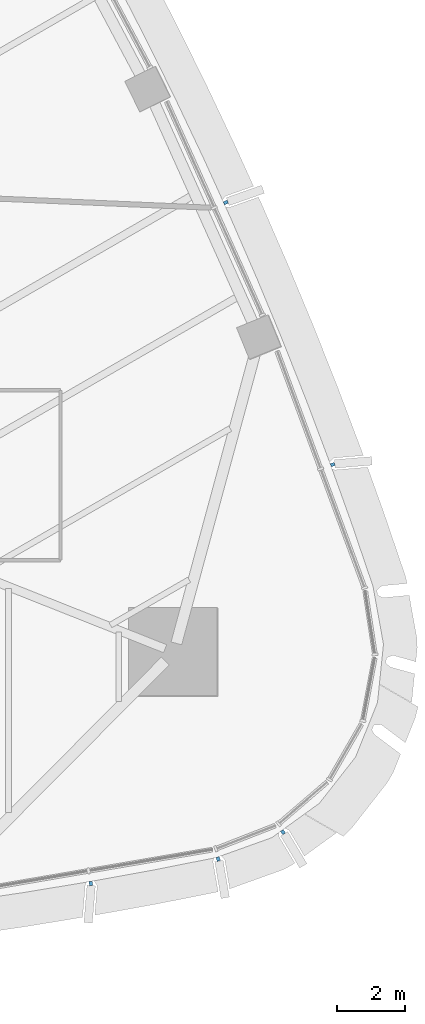
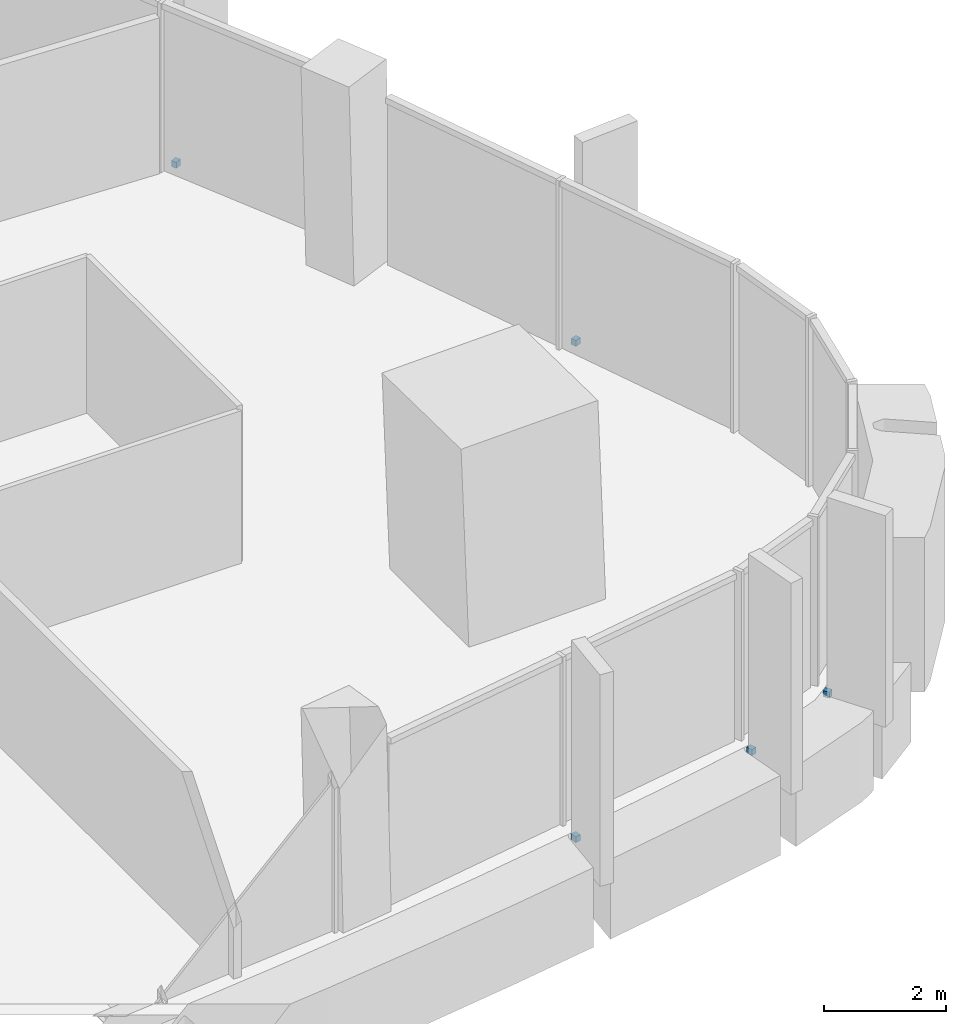
# One storey, part 14 of 19: 5 discrete accessories.
"""IFC4 building model written with IfcOpenShell, lengths in metres."""

from ifc_helpers import new_model, si_unit, direction, frame, origin, origin_2d, place, context, subcontext, project, spatial, rectangle, extrude, material, type_object, element, save


model = new_model("IFC4")

# Units and contexts
model_context = context("Model", 3, precision=1e-05, world=origin(), true_north=direction((0.0, 1.0)))
body_context = subcontext(model_context, "Body", "Model", "MODEL_VIEW")
ifc_project = project(units=[si_unit("LENGTHUNIT", "METRE"), si_unit("AREAUNIT", "SQUARE_METRE"), si_unit("VOLUMEUNIT", "CUBIC_METRE"), si_unit("PLANEANGLEUNIT", "RADIAN"), si_unit("MASSUNIT", "GRAM", prefix="KILO")], contexts=[model_context])

# Site, building, storey
site_placement = place(None, origin())
site = spatial("IfcSite", under=ifc_project, at=site_placement, CompositionType="ELEMENT")
building_placement = place(site_placement, origin())
building = spatial("IfcBuilding", under=site, at=building_placement, Name="Sierra Prisma Convention Tower", CompositionType="ELEMENT")
storey_placement = place(building_placement, frame((0.0, 0.0, 209.800048828125)))
storey = spatial("IfcBuildingStorey", under=building, at=storey_placement, Name="L47", CompositionType="ELEMENT", Elevation=209.800048828125)

# Discrete accessories
ifc_material = material(Name="Stainless steel 316", Category="steel")
discrete_accessory_type = type_object("IfcDiscreteAccessoryType", Name="Fin bracket", PredefinedType="BRACKET", material=ifc_material)
for number, where, z_axis, x_axis, name in (
    (1, (20.29296875, -19.935302734375, -0.135009765625), (0.0, 0.0, 1.0), (0.178423463444, -0.983953793474, 0.0), "Fin bracket L47.17 base"),
    (2, (24.0419921875, -19.216796875, -0.135009765625), (0.0, 0.0, 1.0), (0.337635839819, -0.94127681352, 0.0), "Fin bracket L47.18 base"),
    (3, (25.947998046875, -18.4228515625, -0.135009765625), (0.0, 0.0, 1.0), (0.585520099679, -0.810657888922, 0.0), "Fin bracket L47.19 base"),
    (4, (27.4111328125, -7.6064453125, -0.135009765625), (0.0, 0.0, 1.0), (0.941340713021, 0.337457644764, 0.0), "Fin bracket L47.24 base"),
    (5, (24.2666015625, 0.108642578125, -0.135009765625), (0.0, 0.0, 1.0), (0.910728008252, 0.413006652471, 0.0), "Fin bracket L47.27 base"),
):
    element("IfcDiscreteAccessory", number, at=place(storey_placement, frame(where, z_axis=z_axis, x_axis=x_axis)), inside=storey, type_object=discrete_accessory_type, Name=name, PredefinedType="BRACKET", context=body_context, shape_type="SweptSolid", body=[
        extrude(rectangle(XDim=0.1201171875, YDim=0.10009765625, at=origin_2d()), origin(), (0.0, 0.0, 1.0), 0.1201171875),
    ])

save(model, "model.ifc")
